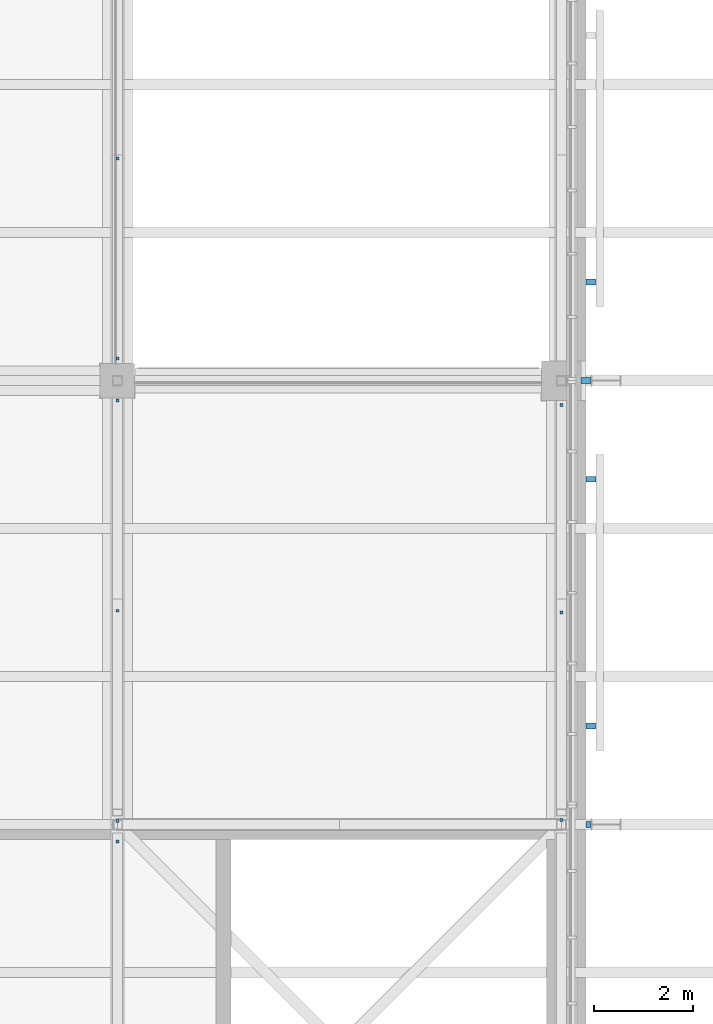
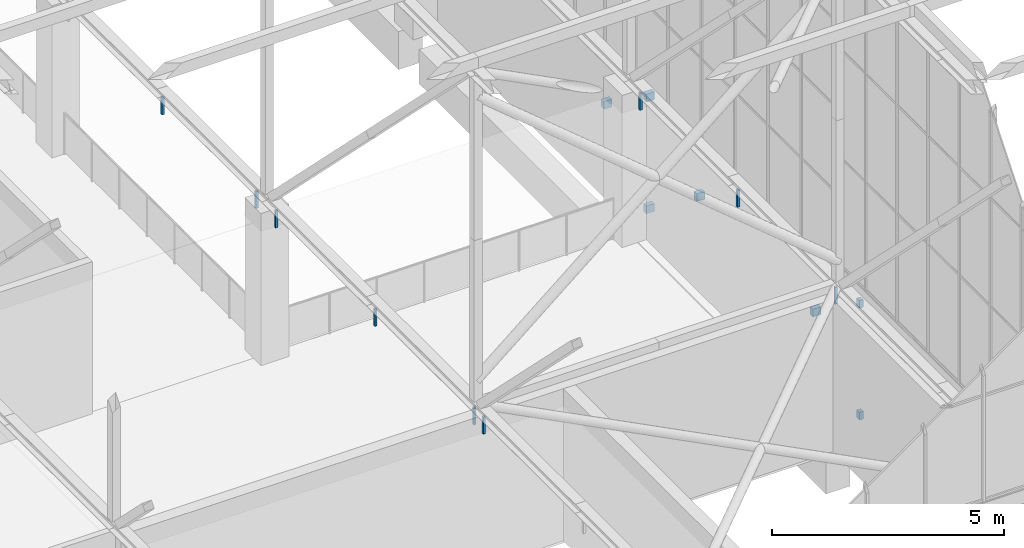
# One storey, part 211 of 646: 16 discrete accessories.
"""IFC4 building model written with IfcOpenShell, lengths in metres."""

from ifc_helpers import new_model, si_unit, direction, frame, origin, origin_2d, place, context, subcontext, project, spatial, rectangle, extrude, material, type_object, element, save


model = new_model("IFC4")

# Units and contexts
model_context = context("Model", 3, precision=1e-05, world=origin(), true_north=direction((0.0, 1.0)))
body_context = subcontext(model_context, "Body", "Model", "MODEL_VIEW")
ifc_project = project(units=[si_unit("LENGTHUNIT", "METRE"), si_unit("AREAUNIT", "SQUARE_METRE"), si_unit("VOLUMEUNIT", "CUBIC_METRE"), si_unit("PLANEANGLEUNIT", "RADIAN"), si_unit("MASSUNIT", "GRAM", prefix="KILO")], contexts=[model_context])

# Site, building, storey
site_placement = place(None, origin())
site = spatial("IfcSite", under=ifc_project, at=site_placement, CompositionType="ELEMENT")
building_placement = place(site_placement, origin())
building = spatial("IfcBuilding", under=site, at=building_placement, Name="Silverbay Arena", CompositionType="ELEMENT")
storey_placement = place(building_placement, frame((0.0, 0.0, 33.5)))
storey = spatial("IfcBuildingStorey", under=building, at=storey_placement, Name="L05", CompositionType="ELEMENT", Elevation=33.5)

# Discrete accessories
ifc_material_1 = material(Name="Steel S355", Category="steel")
discrete_accessory_type_1 = type_object("IfcDiscreteAccessoryType", Name="Ceiling hanger", PredefinedType="BRACKET", material=ifc_material_1)
for number, where, z_axis, x_axis, name in (
    (1, (198.0, 36.445068359375, 3.5498046875), (0.0, 0.0, 1.0), (1.0, 0.0, 0.0), "Ceiling hanger"),
    (2, (198.0, 40.5, 3.5498046875), (0.0, 0.0, 1.0), (1.0, 0.0, 0.0), "Ceiling hanger"),
    (3, (198.0, 27.070068359375, 3.5498046875), (0.0, 0.0, 1.0), (1.0, 0.0, 0.0), "Ceiling hanger"),
    (4, (198.0, 31.3349609375, 3.5498046875), (0.0, 0.0, 1.0), (1.0, 0.0, 0.0), "Ceiling hanger"),
    (5, (198.0, 35.60009765625, 3.5498046875), (0.0, 0.0, 1.0), (1.0, 0.0, 0.0), "Ceiling hanger"),
    (6, (207.0, 27.094970703125, 3.5498046875), (0.0, 0.0, 1.0), (1.0, 0.0, 0.0), "Ceiling hanger"),
    (7, (207.0, 31.300048828125, 3.5498046875), (0.0, 0.0, 1.0), (1.0, 0.0, 0.0), "Ceiling hanger"),
    (8, (207.0, 35.5048828125, 3.5498046875), (0.0, 0.0, 1.0), (1.0, 0.0, 0.0), "Ceiling hanger"),
    (9, (198.0, 26.659912109375, 3.5498046875), (0.0, 0.0, 1.0), (1.0, 0.0, 0.0), "Ceiling hanger"),
):
    element("IfcDiscreteAccessory", number, at=place(storey_placement, frame(where, z_axis=z_axis, x_axis=x_axis)), inside=storey, type_object=discrete_accessory_type_1, Name=name, PredefinedType="BRACKET", context=body_context, shape_type="SweptSolid", body=[
        extrude(rectangle(XDim=0.06005859375, YDim=0.06005859375, at=origin_2d()), origin(), (0.0, 0.0, 1.0), 0.449951171875),
    ])
ifc_material_2 = material(Name="Steel S355", Category="steel")
discrete_accessory_type_2 = type_object("IfcDiscreteAccessoryType", Name="Steel bracket plate", PredefinedType="BRACKET", material=ifc_material_2)
for number, where, z_axis, x_axis, name in (
    (10, (207.60009765625, 29.0, 1.89990234375), (0.0, 0.0, 1.0), (0.0, 1.0, 0.0), "Louvre support bracket"),
    (11, (207.60009765625, 34.0, 1.89990234375), (0.0, 0.0, 1.0), (0.0, 1.0, 0.0), "Louvre support bracket"),
    (12, (207.60009765625, 38.0, 1.89990234375), (0.0, 0.0, 1.0), (0.0, 1.0, 0.0), "Louvre support bracket"),
):
    element("IfcDiscreteAccessory", number, at=place(storey_placement, frame(where, z_axis=z_axis, x_axis=x_axis)), inside=storey, type_object=discrete_accessory_type_2, Name=name, PredefinedType="BRACKET", context=body_context, shape_type="SweptSolid", body=[
        extrude(rectangle(XDim=0.1201171875, YDim=0.199951171875, at=origin_2d()), origin(), (0.0, 0.0, 1.0), 0.199951171875),
    ])
for number, where, z_axis, x_axis, name in (
    (13, (207.550048828125, 27.0, 0.39990234375), (0.0, 0.0, 1.0), (1.0, 0.0, 0.0), "Fin bracket"),
    (14, (207.550048828125, 27.0, 3.33984375), (0.0, 0.0, 1.0), (1.0, 0.0, 0.0), "Fin bracket"),
):
    element("IfcDiscreteAccessory", number, at=place(storey_placement, frame(where, z_axis=z_axis, x_axis=x_axis)), inside=storey, type_object=discrete_accessory_type_2, Name=name, PredefinedType="BRACKET", context=body_context, shape_type="SweptSolid", body=[
        extrude(rectangle(XDim=0.10009765625, YDim=0.1201171875, at=origin_2d()), origin(), (0.0, 0.0, 1.0), 0.199951171875),
    ])
for number, where, z_axis, x_axis, name in (
    (15, (207.5, 36.0, 0.39990234375), (0.0, 0.0, 1.0), (1.0, 0.0, 0.0), "Fin bracket"),
    (16, (207.5, 36.0, 3.33984375), (0.0, 0.0, 1.0), (1.0, 0.0, 0.0), "Fin bracket"),
):
    element("IfcDiscreteAccessory", number, at=place(storey_placement, frame(where, z_axis=z_axis, x_axis=x_axis)), inside=storey, type_object=discrete_accessory_type_2, Name=name, PredefinedType="BRACKET", context=body_context, shape_type="SweptSolid", body=[
        extrude(rectangle(XDim=0.199951171875, YDim=0.1201171875, at=origin_2d()), origin(), (0.0, 0.0, 1.0), 0.199951171875),
    ])

save(model, "model.ifc")
